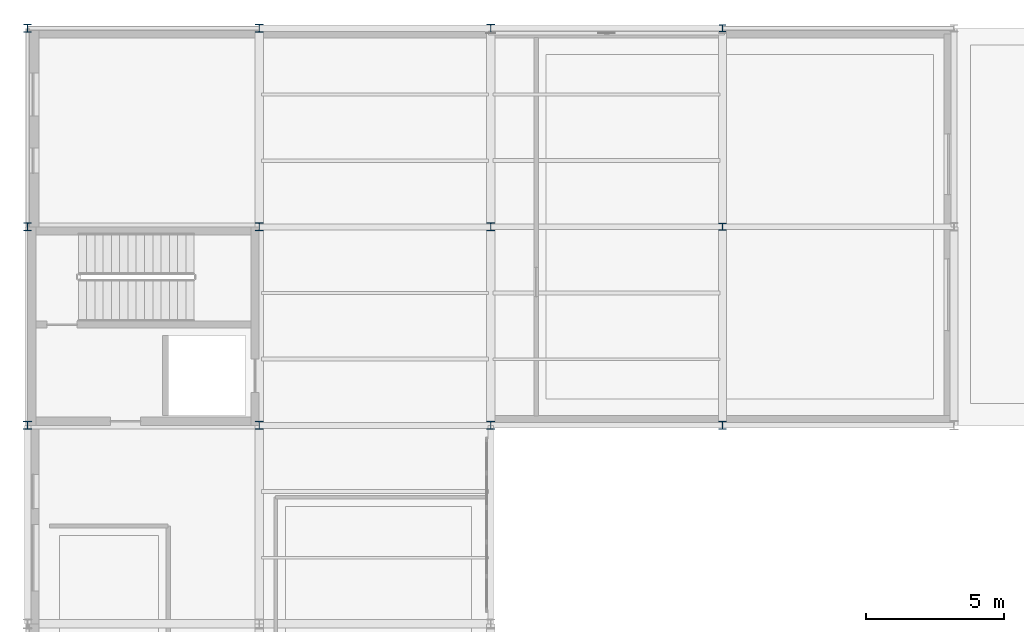
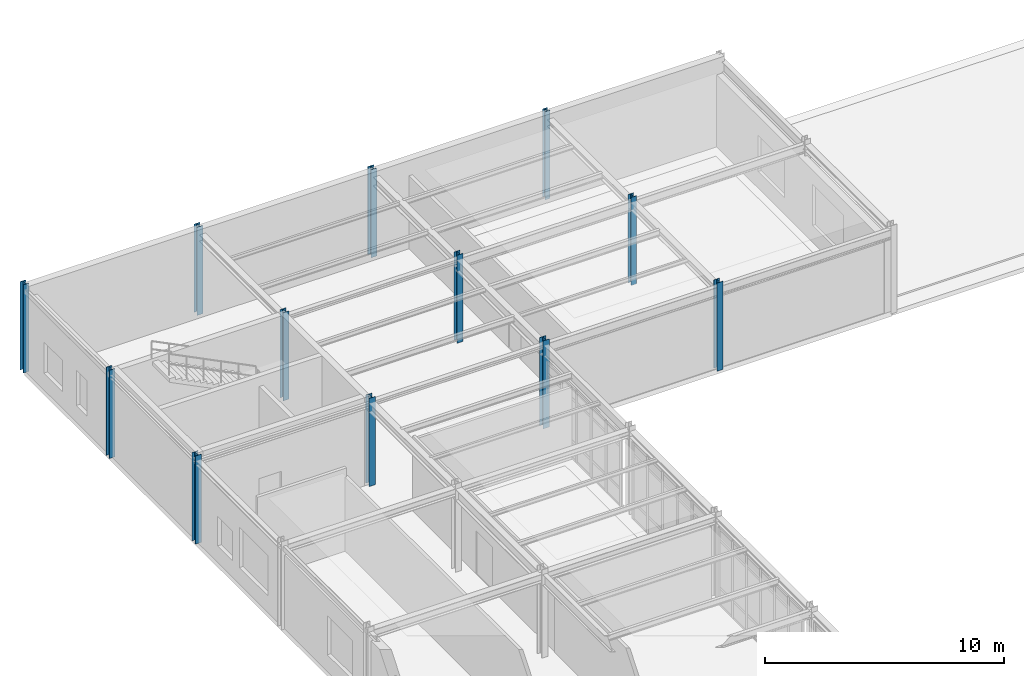
# One storey, part 16 of 106: 12 columns.
"""IFC4 building model written with IfcOpenShell, lengths in metres."""

import ifcopenshell
import ifcopenshell.guid

model = None  # the IFC model being written
_history = None  # IfcOwnerHistory: only IFC2X3 demands one
_inside = {}  # id of a spatial element -> (the spatial element, [elements in it])
_under = {}  # id of a project, library or spatial element -> (it, [spatial elements below it])
_declared = {}  # id of a project -> (the project, [libraries it declares])
_typed = {}  # id of a type object -> (the type object, [elements of that type])
_made_of = {}  # id of a material, layer set ... -> (it, [elements and type objects made of it])


def new_model(schema):
    """Start an empty IFC model of exactly this schema.

    Asked for "IFC4X3", IfcOpenShell would pick the latest addendum, in which some entities
    have other attributes; the version numbers below select the first issue.
    IFC2X3 requires an IfcOwnerHistory on every rooted entity: one is made here for all.
    """
    global model, _history
    if schema == "IFC4X3":
        model = ifcopenshell.file(schema_version=(4, 3, 0, 0))
    else:
        model = ifcopenshell.file(schema=schema)
    _inside.clear()
    _under.clear()
    _declared.clear()
    _typed.clear()
    _made_of.clear()
    _history = None
    if model.schema == "IFC2X3":
        org = make("IfcOrganization", Name="unknown")
        user = make(
            "IfcPersonAndOrganization",
            ThePerson=make("IfcPerson", FamilyName="unknown"),
            TheOrganization=org,
        )
        app = make(
            "IfcApplication",
            ApplicationDeveloper=org,
            Version="unknown",
            ApplicationFullName="unknown",
            ApplicationIdentifier="unknown",
        )
        _history = make(
            "IfcOwnerHistory",
            OwningUser=user,
            OwningApplication=app,
            ChangeAction="ADDED",
            CreationDate=0,
        )
    return model


def make(cls, **values):
    """One entity of the class cls with the attributes given. An attribute that is None is left unset."""
    return model.create_entity(
        cls, **{name: value for name, value in values.items() if value is not None}
    )


def rooted(cls, **values):
    """An entity with a GlobalId (a new one), such as an element, a storey or a relation."""
    return make(cls, GlobalId=ifcopenshell.guid.new(), OwnerHistory=_history, **values)


def si_unit(unit_type, name, prefix=None):
    """IfcSIUnit, for example si_unit("LENGTHUNIT", "METRE", prefix="MILLI")."""
    return make("IfcSIUnit", UnitType=unit_type, Prefix=prefix, Name=name)


def derived_unit(unit_type, elements):
    """IfcDerivedUnit: a product of units, each with its exponent."""
    return make(
        "IfcDerivedUnit",
        Elements=[
            make("IfcDerivedUnitElement", Unit=unit, Exponent=power)
            for unit, power in elements
        ],
        UnitType=unit_type,
    )


def assignment(units):
    """IfcUnitAssignment: the units of a project."""
    return None if units is None else make("IfcUnitAssignment", Units=units)


def point(xyz):
    """IfcCartesianPoint."""
    return None if xyz is None else make("IfcCartesianPoint", Coordinates=xyz)


def direction(xyz):
    """IfcDirection."""
    return None if xyz is None else make("IfcDirection", DirectionRatios=xyz)


def frame(location, z_axis=None, x_axis=None):
    """IfcAxis2Placement3D, a coordinate frame: its origin and axes. An axis left out is left unset."""
    return make(
        "IfcAxis2Placement3D",
        Location=point(location),
        Axis=direction(z_axis),
        RefDirection=direction(x_axis),
    )


def frame_2d(location, x_axis=None):
    """IfcAxis2Placement2D, a coordinate frame in the plane: its origin and x axis."""
    return make(
        "IfcAxis2Placement2D", Location=point(location), RefDirection=direction(x_axis)
    )


def origin():
    """The frame at (0, 0, 0) with its axes left unset."""
    return frame((0.0, 0.0, 0.0))


def origin_2d():
    """The frame at (0, 0) in the plane with its x axis left unset."""
    return frame_2d((0.0, 0.0))


def place(relative_to, where):
    """IfcLocalPlacement: puts the frame where relative to a parent placement (None: the world)."""
    return make(
        "IfcLocalPlacement", PlacementRelTo=relative_to, RelativePlacement=where
    )


def context(
    kind, dimensions, precision=None, world=None, true_north=None, identifier=None
):
    """IfcGeometricRepresentationContext, for example the 3D "Model" context."""
    return make(
        "IfcGeometricRepresentationContext",
        ContextIdentifier=identifier,
        ContextType=kind,
        CoordinateSpaceDimension=dimensions,
        Precision=precision,
        WorldCoordinateSystem=world,
        TrueNorth=true_north,
    )


def subcontext(parent, identifier, kind, view, scale=None):
    """IfcGeometricRepresentationSubContext, for example "Body" below "Model"."""
    return make(
        "IfcGeometricRepresentationSubContext",
        ContextIdentifier=identifier,
        ContextType=kind,
        ParentContext=parent,
        TargetScale=scale,
        TargetView=view,
    )


def project(units=None, contexts=None):
    """IfcProject with its units and contexts."""
    return rooted(
        "IfcProject",
        Name="project",
        RepresentationContexts=contexts,
        UnitsInContext=assignment(units),
    )


def spatial(cls, under=None, at=None, **own):
    """A site, building, storey or space (cls), placed at a placement, below another one or the project."""
    s = rooted(cls, ObjectPlacement=at, **own)
    if under is not None:
        _under.setdefault(under.id(), (under, []))[1].append(s)
    return s


def profile(cls, at=None, kind="AREA", **sizes):
    """A parametric profile (cls). Its sizes go by their IFC names, for example OverallWidth=200.0."""
    return make(cls, ProfileType=kind, Position=at, **sizes)


def i_section(**sizes):
    """IfcIShapeProfileDef."""
    return profile("IfcIShapeProfileDef", **sizes)


def extrude(swept, where, along, depth):
    """IfcExtrudedAreaSolid: the profile swept, set in the frame where, extruded along a direction by depth."""
    return make(
        "IfcExtrudedAreaSolid",
        SweptArea=swept,
        Position=where,
        ExtrudedDirection=direction(along),
        Depth=depth,
    )


def shape(context_of_items, identifier, shape_type, items):
    """IfcShapeRepresentation: the items that make up one representation, for example the "Body"."""
    return make(
        "IfcShapeRepresentation",
        ContextOfItems=context_of_items,
        RepresentationIdentifier=identifier,
        RepresentationType=shape_type,
        Items=items,
    )


def material(Name=None, Category=None):
    """IfcMaterial."""
    return make("IfcMaterial", Name=Name, Category=Category)


def material_profile(
    of_material, cross_section, Name=None, Category=None, Priority=None
):
    """IfcMaterialProfile: a cross section and its material."""
    return make(
        "IfcMaterialProfile",
        Name=Name,
        Material=of_material,
        Profile=cross_section,
        Priority=Priority,
        Category=Category,
    )


def profile_set(profiles, Name=None, composite=None):
    """IfcMaterialProfileSet."""
    return make(
        "IfcMaterialProfileSet",
        Name=Name,
        MaterialProfiles=profiles,
        CompositeProfile=composite,
    )


def made_of(thing, what):
    """Note that an element or type object is made of a material, layer set ...; save() writes the relation."""
    if what is not None:
        _made_of.setdefault(what.id(), (what, []))[1].append(thing)
    return thing


def type_object(cls, material=None, **own):
    """A type object (cls), such as IfcWallType, which elements share."""
    return made_of(rooted(cls, **own), material)


def element(
    cls,
    number,
    at=None,
    inside=None,
    cuts=None,
    type_object=None,
    material=None,
    context=None,
    identifier="Body",
    shape_type=None,
    held_by="IfcProductDefinitionShape",
    body=None,
    shapes=None,
    **own,
):
    """One element of the class cls, such as IfcWall. Its Tag is "e" and its number.

    at: its placement. inside: the storey or other place that contains it. cuts: it is an
    opening in that element (IfcRelVoidsElement). A single representation is given by context,
    identifier, shape_type and body (its items); several are given by shapes. held_by: the class
    of the entity that holds the representations. save() writes the other relations.
    """
    e = rooted(cls, Tag="e%d" % number, ObjectPlacement=at, **own)
    if body is not None:
        shapes = [shape(context, identifier, shape_type, body)]
    if shapes is not None:
        e.Representation = make(held_by, Representations=shapes)
    if inside is not None:
        _inside.setdefault(inside.id(), (inside, []))[1].append(e)
    if cuts is not None:
        rooted(
            "IfcRelVoidsElement", RelatingBuildingElement=cuts, RelatedOpeningElement=e
        )
    if type_object is not None:
        _typed.setdefault(type_object.id(), (type_object, []))[1].append(e)
    return made_of(e, material)


def aggregate(whole, parts):
    """IfcRelAggregates: a whole, such as a stair, and the parts it consists of."""
    return rooted("IfcRelAggregates", RelatingObject=whole, RelatedObjects=parts)


def save(model, path):
    """Write the relations noted so far, then the file.

    IfcRelAggregates (storeys below a building ...), IfcRelContainedInSpatialStructure (elements
    in a storey), IfcRelDefinesByType, IfcRelAssociatesMaterial and IfcRelDeclares: one each for
    every whole, place, type object, material and project.
    """
    for whole, parts in _under.values():
        aggregate(whole, parts)
    for where, things in _inside.values():
        rooted(
            "IfcRelContainedInSpatialStructure",
            RelatedElements=things,
            RelatingStructure=where,
        )
    for kind, things in _typed.values():
        rooted("IfcRelDefinesByType", RelatedObjects=things, RelatingType=kind)
    for what, things in _made_of.values():
        rooted("IfcRelAssociatesMaterial", RelatedObjects=things, RelatingMaterial=what)
    for by, libraries in _declared.values():
        rooted("IfcRelDeclares", RelatingContext=by, RelatedDefinitions=libraries)
    model.write(path)


model = new_model("IFC4")

# Units and contexts
model_context = context("Model", 3, precision=1e-05, world=origin(), true_north=direction((0.0, 1.0)))
body_context = subcontext(model_context, "Body", "Model", "MODEL_VIEW")
ifc_project = project(units=[si_unit("LENGTHUNIT", "METRE"), si_unit("AREAUNIT", "SQUARE_METRE"), si_unit("VOLUMEUNIT", "CUBIC_METRE"), si_unit("PLANEANGLEUNIT", "RADIAN"), si_unit("MASSUNIT", "GRAM", prefix="KILO"), derived_unit("THERMALTRANSMITTANCEUNIT", [(si_unit("POWERUNIT", "WATT"), 1), (si_unit("AREAUNIT", "SQUARE_METRE"), -1), (si_unit("THERMODYNAMICTEMPERATUREUNIT", "KELVIN"), -1)])], contexts=[model_context])

# Site, building, storey
site_placement = place(None, origin())
site = spatial("IfcSite", under=ifc_project, at=site_placement, CompositionType="ELEMENT")
building_placement = place(site_placement, origin())
building = spatial("IfcBuilding", under=site, at=building_placement, Name="Yasenodar Specialist Clinic", CompositionType="ELEMENT")
storey_placement = place(building_placement, frame((0.0, 0.0, 4.5)))
storey = spatial("IfcBuildingStorey", under=building, at=storey_placement, Name="L01", CompositionType="ELEMENT", Elevation=4.5)

# Columns
ifc_material = material(Name="Steel S355", Category="steel")
ifc_material_profile_1 = material_profile(ifc_material, i_section(OverallWidth=0.239990234375, OverallDepth=0.239990234375, WebThickness=0.010009765625, FlangeThickness=0.01708984375, FilletRadius=0.02099609375, at=origin_2d()), Name="HEB 240")
ifc_profile_set_1 = profile_set([ifc_material_profile_1], Name="Steel S355")
column_type_1 = type_object("IfcColumnType", Name="COL-ST-HEB240", PredefinedType="COLUMN", material=ifc_profile_set_1)
column_1_placement = place(storey_placement, frame((25.199951171875, 111.60009765625, 0.0), z_axis=(0.0, 0.0, 1.0), x_axis=(1.0, 0.0, 0.0)))
element("IfcColumn", 1, at=column_1_placement, inside=storey, type_object=column_type_1, Name="L01 Column V4-057", PredefinedType="COLUMN", context=body_context, shape_type="SweptSolid", body=[
    extrude(i_section(OverallWidth=0.239990234375, OverallDepth=0.239990234375, WebThickness=0.010009765625, FlangeThickness=0.01708984375, FilletRadius=0.02099609375, at=origin_2d()), origin(), (0.0, 0.0, 1.0), 4.5),
])
ifc_material_profile_2 = material_profile(ifc_material, i_section(OverallWidth=0.260009765625, OverallDepth=0.260009765625, WebThickness=0.010009765625, FlangeThickness=0.017578125, FilletRadius=0.02392578125, at=origin_2d()), Name="HEB 260")
ifc_profile_set_2 = profile_set([ifc_material_profile_2], Name="Steel S355")
column_type_2 = type_object("IfcColumnType", Name="COL-ST-HEB260", PredefinedType="COLUMN", material=ifc_profile_set_2)
column_2_placement = place(storey_placement, frame((25.199951171875, 104.39990234375, 0.0), z_axis=(0.0, 0.0, 1.0), x_axis=(1.0, 0.0, 0.0)))
element("IfcColumn", 2, at=column_2_placement, inside=storey, type_object=column_type_2, Name="L01 Column V4-056", PredefinedType="COLUMN", context=body_context, shape_type="SweptSolid", body=[
    extrude(i_section(OverallWidth=0.260009765625, OverallDepth=0.260009765625, WebThickness=0.010009765625, FlangeThickness=0.017578125, FilletRadius=0.02392578125, at=origin_2d()), origin(), (0.0, 0.0, 1.0), 4.5),
])
ifc_material_profile_3 = material_profile(ifc_material, i_section(OverallWidth=0.280029296875, OverallDepth=0.280029296875, WebThickness=0.010498046875, FlangeThickness=0.01806640625, FilletRadius=0.02392578125, at=origin_2d()), Name="HEB 280")
ifc_profile_set_3 = profile_set([ifc_material_profile_3], Name="Steel S355")
column_type_3 = type_object("IfcColumnType", Name="COL-ST-HEB280", PredefinedType="COLUMN", material=ifc_profile_set_3)
for number, where, z_axis, x_axis, name in (
    (3, (0.0, 104.39990234375, 0.0), (0.0, 0.0, 1.0), (1.0, 0.0, 0.0), "L01 Column V4-014"),
    (4, (0.0, 111.60009765625, 0.0), (0.0, 0.0, 1.0), (1.0, 0.0, 0.0), "L01 Column V4-015"),
    (5, (8.39990234375, 104.39990234375, 0.0), (0.0, 0.0, 1.0), (1.0, 0.0, 0.0), "L01 Column V4-029"),
    (6, (8.39990234375, 111.60009765625, 0.0), (0.0, 0.0, 1.0), (1.0, 0.0, 0.0), "L01 Column V4-030"),
    (7, (16.800048828125, 104.39990234375, 0.0), (0.0, 0.0, 1.0), (1.0, 0.0, 0.0), "L01 Column V4-044"),
    (8, (16.800048828125, 111.60009765625, 0.0), (0.0, 0.0, 1.0), (1.0, 0.0, 0.0), "L01 Column V4-045"),
    (9, (25.199951171875, 97.199951171875, 0.0), (0.0, 0.0, 1.0), (1.0, 0.0, 0.0), "L01 Column V4-055"),
):
    element("IfcColumn", number, at=place(storey_placement, frame(where, z_axis=z_axis, x_axis=x_axis)), inside=storey, type_object=column_type_3, Name=name, PredefinedType="COLUMN", context=body_context, shape_type="SweptSolid", body=[
        extrude(i_section(OverallWidth=0.280029296875, OverallDepth=0.280029296875, WebThickness=0.010498046875, FlangeThickness=0.01806640625, FilletRadius=0.02392578125, at=origin_2d()), origin(), (0.0, 0.0, 1.0), 4.5),
    ])
ifc_material_profile_4 = material_profile(ifc_material, i_section(OverallWidth=0.300048828125, OverallDepth=0.300048828125, WebThickness=0.010986328125, FlangeThickness=0.01904296875, FilletRadius=0.027099609375, at=origin_2d()), Name="HEB 300")
ifc_profile_set_4 = profile_set([ifc_material_profile_4], Name="Steel S355")
column_type_4 = type_object("IfcColumnType", Name="COL-ST-HEB300", PredefinedType="COLUMN", material=ifc_profile_set_4)
for number, where, z_axis, x_axis, name in (
    (10, (0.0, 97.199951171875, 0.0), (0.0, 0.0, 1.0), (1.0, 0.0, 0.0), "L01 Column V4-013"),
    (11, (8.39990234375, 97.199951171875, 0.0), (0.0, 0.0, 1.0), (1.0, 0.0, 0.0), "L01 Column V4-028"),
    (12, (16.800048828125, 97.199951171875, 0.0), (0.0, 0.0, 1.0), (1.0, 0.0, 0.0), "L01 Column V4-043"),
):
    element("IfcColumn", number, at=place(storey_placement, frame(where, z_axis=z_axis, x_axis=x_axis)), inside=storey, type_object=column_type_4, Name=name, PredefinedType="COLUMN", context=body_context, shape_type="SweptSolid", body=[
        extrude(i_section(OverallWidth=0.300048828125, OverallDepth=0.300048828125, WebThickness=0.010986328125, FlangeThickness=0.01904296875, FilletRadius=0.027099609375, at=origin_2d()), origin(), (0.0, 0.0, 1.0), 4.5),
    ])

save(model, "model.ifc")
